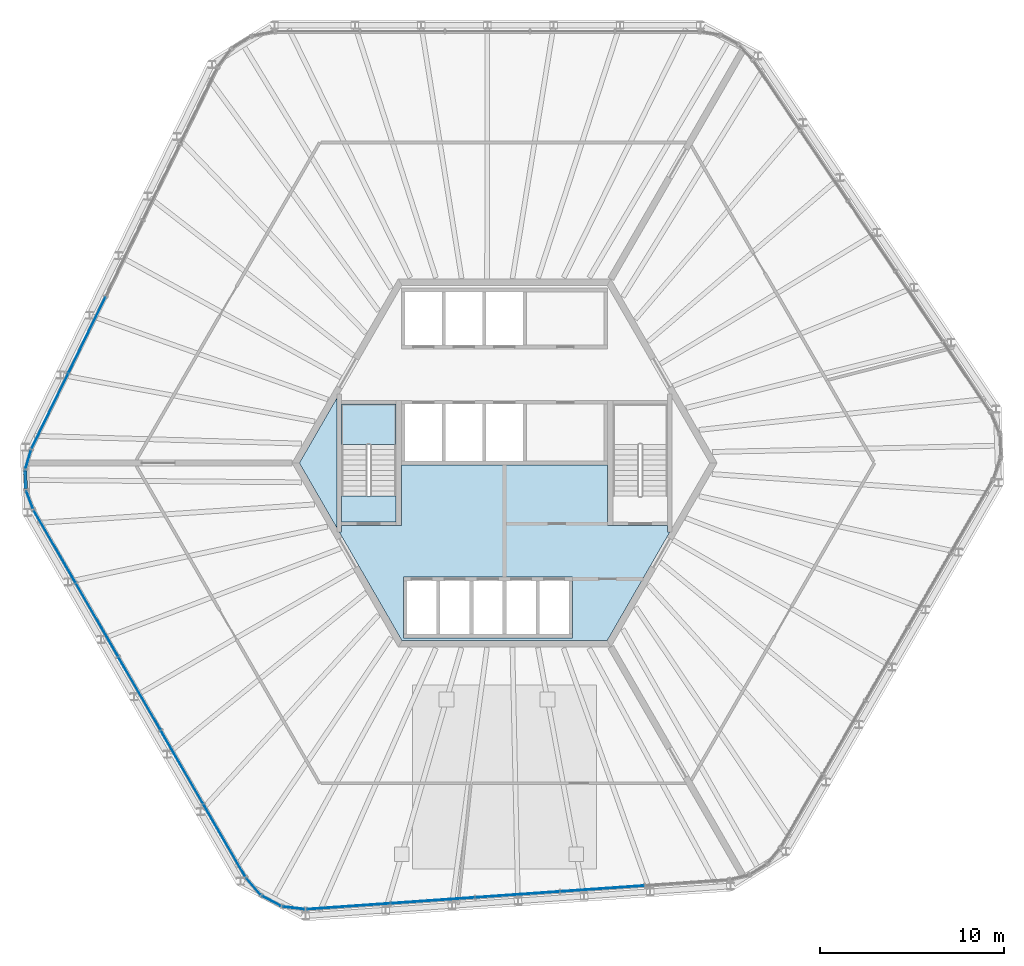
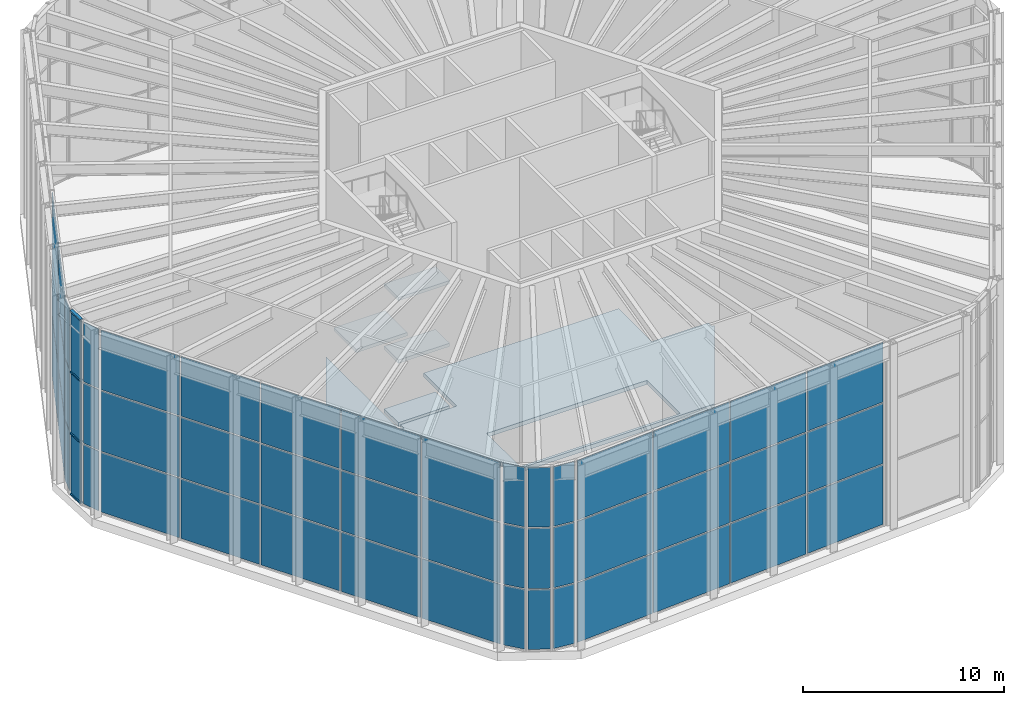
# One storey, part 10 of 17: 51 plates, 6 slabs, 4 members, 10 elements without a shape of their own.
"""IFC4 building model written with IfcOpenShell, lengths in metres."""

from ifc_helpers import new_model, si_unit, direction, frame, origin, origin_2d, place, context, subcontext, project, spatial, polyline, rectangle, outline, extrude, material, layer, layer_set, material_profile, profile_set, type_object, element, aggregate, save


model = new_model("IFC4")

# Units and contexts
model_context = context("Model", 3, precision=1e-05, world=origin(), true_north=direction((0.0, 1.0)))
body_context = subcontext(model_context, "Body", "Model", "MODEL_VIEW")
ifc_project = project(units=[si_unit("LENGTHUNIT", "METRE"), si_unit("AREAUNIT", "SQUARE_METRE"), si_unit("VOLUMEUNIT", "CUBIC_METRE"), si_unit("PLANEANGLEUNIT", "RADIAN"), si_unit("MASSUNIT", "GRAM", prefix="KILO")], contexts=[model_context])

# Site, building, storey
site_placement = place(None, origin())
site = spatial("IfcSite", under=ifc_project, at=site_placement, CompositionType="ELEMENT")
building_placement = place(site_placement, origin())
building = spatial("IfcBuilding", under=site, at=building_placement, Name="Tarnside Tower", CompositionType="ELEMENT")
storey_placement = place(building_placement, frame((0.0, 0.0, 376.800048828125)))
storey = spatial("IfcBuildingStorey", under=building, at=storey_placement, Name="L91", CompositionType="ELEMENT", Elevation=376.800048828125)

# Curtain wall, members
ifc_material_1 = material(Name="Damper hall glazing wall", Category="glass")
curtain_wall_type = type_object("IfcCurtainWallType", Name="Damper hall glazing wall", PredefinedType="NOTDEFINED", material=ifc_material_1)
curtain_wall_1_placement = place(storey_placement, origin())
curtain_wall_1 = element("IfcCurtainWall", 1, at=curtain_wall_1_placement, inside=storey, type_object=curtain_wall_type, Name="Damper hall glazing L91 18", PredefinedType="NOTDEFINED")
ifc_material_2 = material(Name="Aluminium alloy 6063", Category="aluminium")
ifc_material_profile = material_profile(ifc_material_2, rectangle(XDim=0.179931640625, YDim=0.080078125, at=origin_2d()), Name="Damper hall glazing transom 80 x 180")
ifc_profile_set = profile_set([ifc_material_profile], Name="Aluminium alloy 6063")
member_type = type_object("IfcMemberType", Name="Damper hall glazing transom 80 x 180", PredefinedType="USERDEFINED", material=ifc_profile_set)
member_1_placement = place(storey_placement, frame((-25.9990234375, -1.3837890625, 0.0400390625), z_axis=(-0.034913199944, 0.999390348397, 0.0), x_axis=(-0.999390348397, -0.034913199944, 0.0)))
member_1 = element("IfcMember", 2, at=member_1_placement, type_object=member_type, Name="CW5 transom 1.1", ObjectType="TRANSOM", PredefinedType="USERDEFINED", context=body_context, shape_type="SweptSolid", body=[
    extrude(rectangle(XDim=0.179931640625, YDim=0.080078125, at=origin_2d()), origin(), (0.0, 0.0, 1.0), 0.950927734375),
])
member_2_placement = place(storey_placement, frame((-25.9990234375, -1.3837890625, 3.733154296875), z_axis=(-0.034913199944, 0.999390348397, 0.0), x_axis=(-0.999390348397, -0.034913199944, 0.0)))
member_2 = element("IfcMember", 3, at=member_2_placement, type_object=member_type, Name="CW5 transom 1.2", ObjectType="TRANSOM", PredefinedType="USERDEFINED", context=body_context, shape_type="SweptSolid", body=[
    extrude(rectangle(XDim=0.179931640625, YDim=0.080078125, at=origin_2d()), origin(), (0.0, 0.0, 1.0), 0.950927734375),
])
member_3_placement = place(storey_placement, frame((-25.9990234375, -1.3837890625, 7.466552734375), z_axis=(-0.034913199944, 0.999390348397, 0.0), x_axis=(-0.999390348397, -0.034913199944, 0.0)))
member_3 = element("IfcMember", 4, at=member_3_placement, type_object=member_type, Name="CW5 transom 1.3", ObjectType="TRANSOM", PredefinedType="USERDEFINED", context=body_context, shape_type="SweptSolid", body=[
    extrude(rectangle(XDim=0.179931640625, YDim=0.080078125, at=origin_2d()), origin(), (0.0, 0.0, 1.0), 0.950927734375),
])
member_4_placement = place(storey_placement, frame((-25.9990234375, -1.3837890625, 11.159912109375), z_axis=(-0.034913199944, 0.999390348397, 0.0), x_axis=(-0.999390348397, -0.034913199944, 0.0)))
member_4 = element("IfcMember", 5, at=member_4_placement, type_object=member_type, Name="CW5 transom 1.4", ObjectType="TRANSOM", PredefinedType="USERDEFINED", context=body_context, shape_type="SweptSolid", body=[
    extrude(rectangle(XDim=0.179931640625, YDim=0.080078125, at=origin_2d()), origin(), (0.0, 0.0, 1.0), 0.950927734375),
])

# Slabs
ifc_material_3 = material(Name="Concrete C40/50", Category="concrete")
ifc_layer_1 = layer(ifc_material_3, 0.25)
ifc_layer_set_1 = layer_set([ifc_layer_1], Name="Core slab C40/50")
slab_type_1 = type_object("IfcSlabType", Name="Core slab C40/50", PredefinedType="FLOOR", material=ifc_layer_set_1)
slab_1_placement = place(storey_placement, frame((0.0, 0.0, -0.25)))
element("IfcSlab", 6, at=slab_1_placement, inside=storey, type_object=slab_type_1, Name="L91 core floor slab 2", PredefinedType="FLOOR", context=body_context, shape_type="SweptSolid", body=[
    extrude(outline(polyline([(-9.10009765625, -3.538330078125), (-11.142822265625, 0.0), (-9.10009765625, 3.538330078125), (-9.10009765625, -3.538330078125)])), origin(), (0.0, 0.0, 1.0), 0.25),
])
slab_2_placement = place(storey_placement, frame((0.0, 0.0, -0.25)))
element("IfcSlab", 7, at=slab_2_placement, inside=storey, type_object=slab_type_1, Name="L91 core floor slab 3", PredefinedType="FLOOR", context=body_context, shape_type="SweptSolid", body=[
    extrude(outline(polyline([(-8.85009765625, -3.7548828125), (-8.85009765625, -3.39990234375), (-5.89990234375, -3.39990234375), (-5.60009765625, -3.39990234375), (-5.60009765625, -0.10009765625), (5.60009765625, -0.10009765625), (5.60009765625, -3.39990234375), (5.89990234375, -3.39990234375), (8.85009765625, -3.39990234375), (8.85009765625, -3.7548828125), (8.97509765625, -3.7548828125), (5.5712890625, -9.64990234375), (-5.5712890625, -9.64990234375), (-8.97509765625, -3.7548828125), (-8.85009765625, -3.7548828125)]), holes=[polyline([(-5.5, -9.5), (3.699951171875, -9.5), (3.699951171875, -9.300048828125), (3.699951171875, -6.39990234375), (3.699951171875, -6.199951171875), (-5.5, -6.199951171875), (-5.5, -6.39990234375), (-5.5, -9.300048828125), (-5.5, -9.5)])]), origin(), (0.0, 0.0, 1.0), 0.25),
])
slab_3_placement = place(storey_placement, frame((0.0, 0.0, -0.25)))
element("IfcSlab", 8, at=slab_3_placement, inside=storey, type_object=slab_type_1, Name="L91 core floor slab 5", PredefinedType="FLOOR", context=body_context, shape_type="SweptSolid", body=[
    extrude(outline(polyline([(-8.85009765625, -3.199951171875), (-8.85009765625, -1.800048828125), (-5.89990234375, -1.800048828125), (-5.89990234375, -3.199951171875), (-8.85009765625, -3.199951171875)])), origin(), (0.0, 0.0, 1.0), 0.25),
])

# Curtain wall, plates
curtain_wall_2_placement = place(storey_placement, origin())
curtain_wall_2 = element("IfcCurtainWall", 9, at=curtain_wall_2_placement, inside=storey, type_object=curtain_wall_type, Name="Damper hall glazing L91 12", PredefinedType="NOTDEFINED")
ifc_material_4 = material(Name="Low-iron safety glass", Category="glass")
ifc_layer_2 = layer(ifc_material_4, 0.0400390625)
ifc_layer_set_2 = layer_set([ifc_layer_2], Name="Damper hall glazing panel 40")
plate_type = type_object("IfcPlateType", Name="Damper hall glazing panel 40", PredefinedType="CURTAIN_PANEL", material=ifc_layer_set_2)
plate_1_placement = place(storey_placement, frame((5.31005859375, -23.115966796875, 0.080078125), z_axis=(0.0, 0.0, 1.0), x_axis=(-0.99756405026, -0.069756473744, 0.0)))
plate_1 = element("IfcPlate", 10, at=plate_1_placement, type_object=plate_type, Name="CW5 panel 2.1", PredefinedType="CURTAIN_PANEL", context=body_context, shape_type="SweptSolid", body=[
    extrude(rectangle(XDim=4.5341796875, YDim=0.0400390625, at=origin_2d()), origin(), (0.0, 0.0, 1.0), 3.61328125),
])
plate_2_placement = place(storey_placement, frame((5.31005859375, -23.115966796875, 3.773193359375), z_axis=(0.0, 0.0, 1.0), x_axis=(-0.99756405026, -0.069756473744, 0.0)))
plate_2 = element("IfcPlate", 11, at=plate_2_placement, type_object=plate_type, Name="CW5 panel 2.2", PredefinedType="CURTAIN_PANEL", context=body_context, shape_type="SweptSolid", body=[
    extrude(rectangle(XDim=4.5341796875, YDim=0.0400390625, at=origin_2d()), origin(), (0.0, 0.0, 1.0), 3.6533203125),
])
plate_3_placement = place(storey_placement, frame((5.31005859375, -23.115966796875, 7.506591796875), z_axis=(0.0, 0.0, 1.0), x_axis=(-0.99756405026, -0.069756473744, 0.0)))
plate_3 = element("IfcPlate", 12, at=plate_3_placement, type_object=plate_type, Name="CW5 panel 2.3", PredefinedType="CURTAIN_PANEL", context=body_context, shape_type="SweptSolid", body=[
    extrude(rectangle(XDim=4.5341796875, YDim=0.0400390625, at=origin_2d()), origin(), (0.0, 0.0, 1.0), 3.61328125),
])
plate_4_placement = place(storey_placement, frame((0.70703125, -23.437744140625, 0.080078125), z_axis=(0.0, 0.0, 1.0), x_axis=(-0.99756405026, -0.069756473744, 0.0)))
plate_4 = element("IfcPlate", 13, at=plate_4_placement, type_object=plate_type, Name="CW5 panel 3.1", PredefinedType="CURTAIN_PANEL", context=body_context, shape_type="SweptSolid", body=[
    extrude(rectangle(XDim=4.5341796875, YDim=0.0400390625, at=origin_2d()), origin(), (0.0, 0.0, 1.0), 3.61328125),
])
plate_5_placement = place(storey_placement, frame((0.70703125, -23.437744140625, 3.773193359375), z_axis=(0.0, 0.0, 1.0), x_axis=(-0.99756405026, -0.069756473744, 0.0)))
plate_5 = element("IfcPlate", 14, at=plate_5_placement, type_object=plate_type, Name="CW5 panel 3.2", PredefinedType="CURTAIN_PANEL", context=body_context, shape_type="SweptSolid", body=[
    extrude(rectangle(XDim=4.5341796875, YDim=0.0400390625, at=origin_2d()), origin(), (0.0, 0.0, 1.0), 3.6533203125),
])
plate_6_placement = place(storey_placement, frame((0.70703125, -23.437744140625, 7.506591796875), z_axis=(0.0, 0.0, 1.0), x_axis=(-0.99756405026, -0.069756473744, 0.0)))
plate_6 = element("IfcPlate", 15, at=plate_6_placement, type_object=plate_type, Name="CW5 panel 3.3", PredefinedType="CURTAIN_PANEL", context=body_context, shape_type="SweptSolid", body=[
    extrude(rectangle(XDim=4.5341796875, YDim=0.0400390625, at=origin_2d()), origin(), (0.0, 0.0, 1.0), 3.61328125),
])
plate_7_placement = place(storey_placement, frame((-3.89599609375, -23.759521484375, 0.080078125), z_axis=(0.0, 0.0, 1.0), x_axis=(-0.99756405026, -0.069756473744, 0.0)))
plate_7 = element("IfcPlate", 16, at=plate_7_placement, type_object=plate_type, Name="CW5 panel 4.1", PredefinedType="CURTAIN_PANEL", context=body_context, shape_type="SweptSolid", body=[
    extrude(rectangle(XDim=4.5341796875, YDim=0.0400390625, at=origin_2d()), origin(), (0.0, 0.0, 1.0), 3.61328125),
])
plate_8_placement = place(storey_placement, frame((-3.89599609375, -23.759521484375, 3.773193359375), z_axis=(0.0, 0.0, 1.0), x_axis=(-0.99756405026, -0.069756473744, 0.0)))
plate_8 = element("IfcPlate", 17, at=plate_8_placement, type_object=plate_type, Name="CW5 panel 4.2", PredefinedType="CURTAIN_PANEL", context=body_context, shape_type="SweptSolid", body=[
    extrude(rectangle(XDim=4.5341796875, YDim=0.0400390625, at=origin_2d()), origin(), (0.0, 0.0, 1.0), 3.6533203125),
])
plate_9_placement = place(storey_placement, frame((-3.89599609375, -23.759521484375, 7.506591796875), z_axis=(0.0, 0.0, 1.0), x_axis=(-0.99756405026, -0.069756473744, 0.0)))
plate_9 = element("IfcPlate", 18, at=plate_9_placement, type_object=plate_type, Name="CW5 panel 4.3", PredefinedType="CURTAIN_PANEL", context=body_context, shape_type="SweptSolid", body=[
    extrude(rectangle(XDim=4.5341796875, YDim=0.0400390625, at=origin_2d()), origin(), (0.0, 0.0, 1.0), 3.61328125),
])
plate_10_placement = place(storey_placement, frame((-8.47900390625, -24.080078125, 0.080078125), z_axis=(0.0, 0.0, 1.0), x_axis=(-0.99756405026, -0.069756473744, 0.0)))
plate_10 = element("IfcPlate", 19, at=plate_10_placement, type_object=plate_type, Name="CW5 panel 5.1", PredefinedType="CURTAIN_PANEL", context=body_context, shape_type="SweptSolid", body=[
    extrude(rectangle(XDim=4.494140625, YDim=0.0400390625, at=origin_2d()), origin(), (0.0, 0.0, 1.0), 3.61328125),
])
plate_11_placement = place(storey_placement, frame((-8.47900390625, -24.080078125, 3.773193359375), z_axis=(0.0, 0.0, 1.0), x_axis=(-0.99756405026, -0.069756473744, 0.0)))
plate_11 = element("IfcPlate", 20, at=plate_11_placement, type_object=plate_type, Name="CW5 panel 5.2", PredefinedType="CURTAIN_PANEL", context=body_context, shape_type="SweptSolid", body=[
    extrude(rectangle(XDim=4.494140625, YDim=0.0400390625, at=origin_2d()), origin(), (0.0, 0.0, 1.0), 3.6533203125),
])
plate_12_placement = place(storey_placement, frame((-8.47900390625, -24.080078125, 7.506591796875), z_axis=(0.0, 0.0, 1.0), x_axis=(-0.99756405026, -0.069756473744, 0.0)))
plate_12 = element("IfcPlate", 21, at=plate_12_placement, type_object=plate_type, Name="CW5 panel 5.3", PredefinedType="CURTAIN_PANEL", context=body_context, shape_type="SweptSolid", body=[
    extrude(rectangle(XDim=4.494140625, YDim=0.0400390625, at=origin_2d()), origin(), (0.0, 0.0, 1.0), 3.61328125),
])
aggregate(curtain_wall_2, [plate_1, plate_2, plate_3, plate_4, plate_5, plate_6, plate_7, plate_8, plate_9, plate_10, plate_11, plate_12])

curtain_wall_3_placement = place(storey_placement, origin())
curtain_wall_3 = element("IfcCurtainWall", 22, at=curtain_wall_3_placement, inside=storey, type_object=curtain_wall_type, Name="Damper hall glazing L91 13", PredefinedType="NOTDEFINED")
plate_13_placement = place(storey_placement, frame((-11.446044921875, -24.1669921875, 0.080078125), z_axis=(0.0, 0.0, 1.0), x_axis=(-0.993238357764, 0.11609291394, 0.0)))
plate_13 = element("IfcPlate", 23, at=plate_13_placement, type_object=plate_type, Name="CW5 panel 1.1", PredefinedType="CURTAIN_PANEL", context=body_context, shape_type="SweptSolid", body=[
    extrude(rectangle(XDim=1.140380859375, YDim=0.0400390625, at=origin_2d()), origin(), (0.0, 0.0, 1.0), 3.61328125),
])
plate_14_placement = place(storey_placement, frame((-11.446044921875, -24.1669921875, 3.773193359375), z_axis=(0.0, 0.0, 1.0), x_axis=(-0.993238357764, 0.11609291394, 0.0)))
plate_14 = element("IfcPlate", 24, at=plate_14_placement, type_object=plate_type, Name="CW5 panel 1.2", PredefinedType="CURTAIN_PANEL", context=body_context, shape_type="SweptSolid", body=[
    extrude(rectangle(XDim=1.140380859375, YDim=0.0400390625, at=origin_2d()), origin(), (0.0, 0.0, 1.0), 3.6533203125),
])
plate_15_placement = place(storey_placement, frame((-11.446044921875, -24.1669921875, 7.506591796875), z_axis=(0.0, 0.0, 1.0), x_axis=(-0.993238357764, 0.11609291394, 0.0)))
plate_15 = element("IfcPlate", 25, at=plate_15_placement, type_object=plate_type, Name="CW5 panel 1.3", PredefinedType="CURTAIN_PANEL", context=body_context, shape_type="SweptSolid", body=[
    extrude(rectangle(XDim=1.140380859375, YDim=0.0400390625, at=origin_2d()), origin(), (0.0, 0.0, 1.0), 3.61328125),
])
aggregate(curtain_wall_3, [plate_13, plate_14, plate_15])

curtain_wall_4_placement = place(storey_placement, origin())
curtain_wall_4 = element("IfcCurtainWall", 26, at=curtain_wall_4_placement, inside=storey, type_object=curtain_wall_type, Name="Damper hall glazing L91 14", PredefinedType="NOTDEFINED")
plate_16_placement = place(storey_placement, frame((-12.6513671875, -23.7939453125, 0.080078125), z_axis=(0.0, 0.0, 1.0), x_axis=(-0.882947592728, 0.469471563032, 0.0)))
plate_16 = element("IfcPlate", 27, at=plate_16_placement, type_object=plate_type, Name="CW5 panel 1.1", PredefinedType="CURTAIN_PANEL", context=body_context, shape_type="SweptSolid", body=[
    extrude(rectangle(XDim=1.107421875, YDim=0.0400390625, at=origin_2d()), origin(), (0.0, 0.0, 1.0), 3.61328125),
])
plate_17_placement = place(storey_placement, frame((-12.6513671875, -23.7939453125, 3.773193359375), z_axis=(0.0, 0.0, 1.0), x_axis=(-0.882947592728, 0.469471563032, 0.0)))
plate_17 = element("IfcPlate", 28, at=plate_17_placement, type_object=plate_type, Name="CW5 panel 1.2", PredefinedType="CURTAIN_PANEL", context=body_context, shape_type="SweptSolid", body=[
    extrude(rectangle(XDim=1.107421875, YDim=0.0400390625, at=origin_2d()), origin(), (0.0, 0.0, 1.0), 3.6533203125),
])
plate_18_placement = place(storey_placement, frame((-12.6513671875, -23.7939453125, 7.506591796875), z_axis=(0.0, 0.0, 1.0), x_axis=(-0.882947592728, 0.469471563032, 0.0)))
plate_18 = element("IfcPlate", 29, at=plate_18_placement, type_object=plate_type, Name="CW5 panel 1.3", PredefinedType="CURTAIN_PANEL", context=body_context, shape_type="SweptSolid", body=[
    extrude(rectangle(XDim=1.107421875, YDim=0.0400390625, at=origin_2d()), origin(), (0.0, 0.0, 1.0), 3.61328125),
])
aggregate(curtain_wall_4, [plate_16, plate_17, plate_18])

curtain_wall_5_placement = place(storey_placement, origin())
curtain_wall_5 = element("IfcCurtainWall", 30, at=curtain_wall_5_placement, inside=storey, type_object=curtain_wall_type, Name="Damper hall glazing L91 15", PredefinedType="NOTDEFINED")
plate_19_placement = place(storey_placement, frame((-13.634765625, -23.00341796875, 0.080078125), z_axis=(0.0, 0.0, 1.0), x_axis=(-0.651657228852, 0.758513583322, 0.0)))
plate_19 = element("IfcPlate", 31, at=plate_19_placement, type_object=plate_type, Name="CW5 panel 1.1", PredefinedType="CURTAIN_PANEL", context=body_context, shape_type="SweptSolid", body=[
    extrude(rectangle(XDim=1.140380859375, YDim=0.0400390625, at=origin_2d()), origin(), (0.0, 0.0, 1.0), 3.61328125),
])
plate_20_placement = place(storey_placement, frame((-13.634765625, -23.00341796875, 3.773193359375), z_axis=(0.0, 0.0, 1.0), x_axis=(-0.651657228852, 0.758513583322, 0.0)))
plate_20 = element("IfcPlate", 32, at=plate_20_placement, type_object=plate_type, Name="CW5 panel 1.2", PredefinedType="CURTAIN_PANEL", context=body_context, shape_type="SweptSolid", body=[
    extrude(rectangle(XDim=1.140380859375, YDim=0.0400390625, at=origin_2d()), origin(), (0.0, 0.0, 1.0), 3.6533203125),
])
plate_21_placement = place(storey_placement, frame((-13.634765625, -23.00341796875, 7.506591796875), z_axis=(0.0, 0.0, 1.0), x_axis=(-0.651657228852, 0.758513583322, 0.0)))
plate_21 = element("IfcPlate", 33, at=plate_21_placement, type_object=plate_type, Name="CW5 panel 1.3", PredefinedType="CURTAIN_PANEL", context=body_context, shape_type="SweptSolid", body=[
    extrude(rectangle(XDim=1.140380859375, YDim=0.0400390625, at=origin_2d()), origin(), (0.0, 0.0, 1.0), 3.61328125),
])
aggregate(curtain_wall_5, [plate_19, plate_20, plate_21])

curtain_wall_6_placement = place(storey_placement, origin())
curtain_wall_6 = element("IfcCurtainWall", 34, at=curtain_wall_6_placement, inside=storey, type_object=curtain_wall_type, Name="Damper hall glazing L91 16", PredefinedType="NOTDEFINED")
plate_22_placement = place(storey_placement, frame((-15.221923828125, -20.494873046875, 0.080078125), z_axis=(0.0, 0.0, 1.0), x_axis=(-0.50000000003, 0.866025403767, 0.0)))
plate_22 = element("IfcPlate", 35, at=plate_22_placement, type_object=plate_type, Name="CW5 panel 1.1", PredefinedType="CURTAIN_PANEL", context=body_context, shape_type="SweptSolid", body=[
    extrude(rectangle(XDim=4.494140625, YDim=0.0400390625, at=origin_2d()), origin(), (0.0, 0.0, 1.0), 3.61328125),
])
plate_23_placement = place(storey_placement, frame((-15.221923828125, -20.494873046875, 3.773193359375), z_axis=(0.0, 0.0, 1.0), x_axis=(-0.50000000003, 0.866025403767, 0.0)))
plate_23 = element("IfcPlate", 36, at=plate_23_placement, type_object=plate_type, Name="CW5 panel 1.2", PredefinedType="CURTAIN_PANEL", context=body_context, shape_type="SweptSolid", body=[
    extrude(rectangle(XDim=4.494140625, YDim=0.0400390625, at=origin_2d()), origin(), (0.0, 0.0, 1.0), 3.6533203125),
])
plate_24_placement = place(storey_placement, frame((-15.221923828125, -20.494873046875, 7.506591796875), z_axis=(0.0, 0.0, 1.0), x_axis=(-0.50000000003, 0.866025403767, 0.0)))
plate_24 = element("IfcPlate", 37, at=plate_24_placement, type_object=plate_type, Name="CW5 panel 1.3", PredefinedType="CURTAIN_PANEL", context=body_context, shape_type="SweptSolid", body=[
    extrude(rectangle(XDim=4.494140625, YDim=0.0400390625, at=origin_2d()), origin(), (0.0, 0.0, 1.0), 3.61328125),
])
plate_25_placement = place(storey_placement, frame((-17.51904296875, -16.51611328125, 0.080078125), z_axis=(0.0, 0.0, 1.0), x_axis=(-0.50000000003, 0.866025403767, 0.0)))
plate_25 = element("IfcPlate", 38, at=plate_25_placement, type_object=plate_type, Name="CW5 panel 2.1", PredefinedType="CURTAIN_PANEL", context=body_context, shape_type="SweptSolid", body=[
    extrude(rectangle(XDim=4.5341796875, YDim=0.0400390625, at=origin_2d()), origin(), (0.0, 0.0, 1.0), 3.61328125),
])
plate_26_placement = place(storey_placement, frame((-17.51904296875, -16.51611328125, 3.773193359375), z_axis=(0.0, 0.0, 1.0), x_axis=(-0.50000000003, 0.866025403767, 0.0)))
plate_26 = element("IfcPlate", 39, at=plate_26_placement, type_object=plate_type, Name="CW5 panel 2.2", PredefinedType="CURTAIN_PANEL", context=body_context, shape_type="SweptSolid", body=[
    extrude(rectangle(XDim=4.5341796875, YDim=0.0400390625, at=origin_2d()), origin(), (0.0, 0.0, 1.0), 3.6533203125),
])
plate_27_placement = place(storey_placement, frame((-17.51904296875, -16.51611328125, 7.506591796875), z_axis=(0.0, 0.0, 1.0), x_axis=(-0.50000000003, 0.866025403767, 0.0)))
plate_27 = element("IfcPlate", 40, at=plate_27_placement, type_object=plate_type, Name="CW5 panel 2.3", PredefinedType="CURTAIN_PANEL", context=body_context, shape_type="SweptSolid", body=[
    extrude(rectangle(XDim=4.5341796875, YDim=0.0400390625, at=origin_2d()), origin(), (0.0, 0.0, 1.0), 3.61328125),
])
plate_28_placement = place(storey_placement, frame((-19.826171875, -12.52001953125, 0.080078125), z_axis=(0.0, 0.0, 1.0), x_axis=(-0.50000000003, 0.866025403767, 0.0)))
plate_28 = element("IfcPlate", 41, at=plate_28_placement, type_object=plate_type, Name="CW5 panel 3.1", PredefinedType="CURTAIN_PANEL", context=body_context, shape_type="SweptSolid", body=[
    extrude(rectangle(XDim=4.5341796875, YDim=0.0400390625, at=origin_2d()), origin(), (0.0, 0.0, 1.0), 3.61328125),
])
plate_29_placement = place(storey_placement, frame((-19.826171875, -12.52001953125, 3.773193359375), z_axis=(0.0, 0.0, 1.0), x_axis=(-0.50000000003, 0.866025403767, 0.0)))
plate_29 = element("IfcPlate", 42, at=plate_29_placement, type_object=plate_type, Name="CW5 panel 3.2", PredefinedType="CURTAIN_PANEL", context=body_context, shape_type="SweptSolid", body=[
    extrude(rectangle(XDim=4.5341796875, YDim=0.0400390625, at=origin_2d()), origin(), (0.0, 0.0, 1.0), 3.6533203125),
])
plate_30_placement = place(storey_placement, frame((-19.826171875, -12.52001953125, 7.506591796875), z_axis=(0.0, 0.0, 1.0), x_axis=(-0.50000000003, 0.866025403767, 0.0)))
plate_30 = element("IfcPlate", 43, at=plate_30_placement, type_object=plate_type, Name="CW5 panel 3.3", PredefinedType="CURTAIN_PANEL", context=body_context, shape_type="SweptSolid", body=[
    extrude(rectangle(XDim=4.5341796875, YDim=0.0400390625, at=origin_2d()), origin(), (0.0, 0.0, 1.0), 3.61328125),
])
plate_31_placement = place(storey_placement, frame((-22.13330078125, -8.52392578125, 0.080078125), z_axis=(0.0, 0.0, 1.0), x_axis=(-0.50000000003, 0.866025403767, 0.0)))
plate_31 = element("IfcPlate", 44, at=plate_31_placement, type_object=plate_type, Name="CW5 panel 4.1", PredefinedType="CURTAIN_PANEL", context=body_context, shape_type="SweptSolid", body=[
    extrude(rectangle(XDim=4.5341796875, YDim=0.0400390625, at=origin_2d()), origin(), (0.0, 0.0, 1.0), 3.61328125),
])
plate_32_placement = place(storey_placement, frame((-22.13330078125, -8.52392578125, 3.773193359375), z_axis=(0.0, 0.0, 1.0), x_axis=(-0.50000000003, 0.866025403767, 0.0)))
plate_32 = element("IfcPlate", 45, at=plate_32_placement, type_object=plate_type, Name="CW5 panel 4.2", PredefinedType="CURTAIN_PANEL", context=body_context, shape_type="SweptSolid", body=[
    extrude(rectangle(XDim=4.5341796875, YDim=0.0400390625, at=origin_2d()), origin(), (0.0, 0.0, 1.0), 3.6533203125),
])
plate_33_placement = place(storey_placement, frame((-22.13330078125, -8.52392578125, 7.506591796875), z_axis=(0.0, 0.0, 1.0), x_axis=(-0.50000000003, 0.866025403767, 0.0)))
plate_33 = element("IfcPlate", 46, at=plate_33_placement, type_object=plate_type, Name="CW5 panel 4.3", PredefinedType="CURTAIN_PANEL", context=body_context, shape_type="SweptSolid", body=[
    extrude(rectangle(XDim=4.5341796875, YDim=0.0400390625, at=origin_2d()), origin(), (0.0, 0.0, 1.0), 3.61328125),
])
plate_34_placement = place(storey_placement, frame((-24.430419921875, -4.545166015625, 0.080078125), z_axis=(0.0, 0.0, 1.0), x_axis=(-0.50000000003, 0.866025403767, 0.0)))
plate_34 = element("IfcPlate", 47, at=plate_34_placement, type_object=plate_type, Name="CW5 panel 5.1", PredefinedType="CURTAIN_PANEL", context=body_context, shape_type="SweptSolid", body=[
    extrude(rectangle(XDim=4.494140625, YDim=0.0400390625, at=origin_2d()), origin(), (0.0, 0.0, 1.0), 3.61328125),
])
plate_35_placement = place(storey_placement, frame((-24.430419921875, -4.545166015625, 3.773193359375), z_axis=(0.0, 0.0, 1.0), x_axis=(-0.50000000003, 0.866025403767, 0.0)))
plate_35 = element("IfcPlate", 48, at=plate_35_placement, type_object=plate_type, Name="CW5 panel 5.2", PredefinedType="CURTAIN_PANEL", context=body_context, shape_type="SweptSolid", body=[
    extrude(rectangle(XDim=4.494140625, YDim=0.0400390625, at=origin_2d()), origin(), (0.0, 0.0, 1.0), 3.6533203125),
])
plate_36_placement = place(storey_placement, frame((-24.430419921875, -4.545166015625, 7.506591796875), z_axis=(0.0, 0.0, 1.0), x_axis=(-0.50000000003, 0.866025403767, 0.0)))
plate_36 = element("IfcPlate", 49, at=plate_36_placement, type_object=plate_type, Name="CW5 panel 5.3", PredefinedType="CURTAIN_PANEL", context=body_context, shape_type="SweptSolid", body=[
    extrude(rectangle(XDim=4.494140625, YDim=0.0400390625, at=origin_2d()), origin(), (0.0, 0.0, 1.0), 3.61328125),
])
aggregate(curtain_wall_6, [plate_22, plate_23, plate_24, plate_25, plate_26, plate_27, plate_28, plate_29, plate_30, plate_31, plate_32, plate_33, plate_34, plate_35, plate_36])

curtain_wall_7_placement = place(storey_placement, origin())
curtain_wall_7 = element("IfcCurtainWall", 50, at=curtain_wall_7_placement, inside=storey, type_object=curtain_wall_type, Name="Damper hall glazing L91 17", PredefinedType="NOTDEFINED")
plate_37_placement = place(storey_placement, frame((-25.795166015625, -1.996826171875, 0.080078125), z_axis=(0.0, 0.0, 1.0), x_axis=(-0.352930564393, 0.935649515961, 0.0)))
plate_37 = element("IfcPlate", 51, at=plate_37_placement, type_object=plate_type, Name="CW5 panel 1.1", PredefinedType="CURTAIN_PANEL", context=body_context, shape_type="SweptSolid", body=[
    extrude(rectangle(XDim=0.9794921875, YDim=0.0400390625, at=origin_2d()), origin(), (0.0, 0.0, 1.0), 3.61328125),
])
plate_38_placement = place(storey_placement, frame((-25.795166015625, -1.996826171875, 3.773193359375), z_axis=(0.0, 0.0, 1.0), x_axis=(-0.352930564393, 0.935649515961, 0.0)))
plate_38 = element("IfcPlate", 52, at=plate_38_placement, type_object=plate_type, Name="CW5 panel 1.2", PredefinedType="CURTAIN_PANEL", context=body_context, shape_type="SweptSolid", body=[
    extrude(rectangle(XDim=0.9794921875, YDim=0.0400390625, at=origin_2d()), origin(), (0.0, 0.0, 1.0), 3.6533203125),
])
plate_39_placement = place(storey_placement, frame((-25.795166015625, -1.996826171875, 7.506591796875), z_axis=(0.0, 0.0, 1.0), x_axis=(-0.352930564393, 0.935649515961, 0.0)))
plate_39 = element("IfcPlate", 53, at=plate_39_placement, type_object=plate_type, Name="CW5 panel 1.3", PredefinedType="CURTAIN_PANEL", context=body_context, shape_type="SweptSolid", body=[
    extrude(rectangle(XDim=0.9794921875, YDim=0.0400390625, at=origin_2d()), origin(), (0.0, 0.0, 1.0), 3.61328125),
])
aggregate(curtain_wall_7, [plate_37, plate_38, plate_39])

# Plate
plate_40_placement = place(storey_placement, frame((-26.015625, -0.908447265625, 0.080078125), z_axis=(0.0, 0.0, 1.0), x_axis=(-0.034899496842, 0.999390827014, 0.0)))
plate_40 = element("IfcPlate", 54, at=plate_40_placement, type_object=plate_type, Name="CW5 panel 1.1", PredefinedType="CURTAIN_PANEL", context=body_context, shape_type="SweptSolid", body=[
    extrude(rectangle(XDim=0.950927734375, YDim=0.0400390625, at=origin_2d()), origin(), (0.0, 0.0, 1.0), 3.61328125),
])

plate_41_placement = place(storey_placement, frame((-26.015625, -0.908447265625, 3.773193359375), z_axis=(0.0, 0.0, 1.0), x_axis=(-0.034899496842, 0.999390827014, 0.0)))
plate_41 = element("IfcPlate", 55, at=plate_41_placement, type_object=plate_type, Name="CW5 panel 1.2", PredefinedType="CURTAIN_PANEL", context=body_context, shape_type="SweptSolid", body=[
    extrude(rectangle(XDim=0.950927734375, YDim=0.0400390625, at=origin_2d()), origin(), (0.0, 0.0, 1.0), 3.6533203125),
])

plate_42_placement = place(storey_placement, frame((-26.015625, -0.908447265625, 7.506591796875), z_axis=(0.0, 0.0, 1.0), x_axis=(-0.034899496842, 0.999390827014, 0.0)))
plate_42 = element("IfcPlate", 56, at=plate_42_placement, type_object=plate_type, Name="CW5 panel 1.3", PredefinedType="CURTAIN_PANEL", context=body_context, shape_type="SweptSolid", body=[
    extrude(rectangle(XDim=0.950927734375, YDim=0.0400390625, at=origin_2d()), origin(), (0.0, 0.0, 1.0), 3.61328125),
])

aggregate(curtain_wall_1, [member_1, member_2, member_3, member_4, plate_40, plate_41, plate_42])

# Curtain wall, plates
curtain_wall_8_placement = place(storey_placement, origin())
curtain_wall_8 = element("IfcCurtainWall", 57, at=curtain_wall_8_placement, inside=storey, type_object=curtain_wall_type, Name="Damper hall glazing L91 19", PredefinedType="NOTDEFINED")
plate_43_placement = place(storey_placement, frame((-25.87158203125, 0.192626953125, 0.080078125), z_axis=(0.0, 0.0, 1.0), x_axis=(0.286803232717, 0.957989512314, 0.0)))
plate_43 = element("IfcPlate", 58, at=plate_43_placement, type_object=plate_type, Name="CW5 panel 1.1", PredefinedType="CURTAIN_PANEL", context=body_context, shape_type="SweptSolid", body=[
    extrude(rectangle(XDim=0.9794921875, YDim=0.0400390625, at=origin_2d()), origin(), (0.0, 0.0, 1.0), 3.61328125),
])
plate_44_placement = place(storey_placement, frame((-25.87158203125, 0.192626953125, 3.773193359375), z_axis=(0.0, 0.0, 1.0), x_axis=(0.286803232717, 0.957989512314, 0.0)))
plate_44 = element("IfcPlate", 59, at=plate_44_placement, type_object=plate_type, Name="CW5 panel 1.2", PredefinedType="CURTAIN_PANEL", context=body_context, shape_type="SweptSolid", body=[
    extrude(rectangle(XDim=0.9794921875, YDim=0.0400390625, at=origin_2d()), origin(), (0.0, 0.0, 1.0), 3.6533203125),
])
plate_45_placement = place(storey_placement, frame((-25.87158203125, 0.192626953125, 7.506591796875), z_axis=(0.0, 0.0, 1.0), x_axis=(0.286803232717, 0.957989512314, 0.0)))
plate_45 = element("IfcPlate", 60, at=plate_45_placement, type_object=plate_type, Name="CW5 panel 1.3", PredefinedType="CURTAIN_PANEL", context=body_context, shape_type="SweptSolid", body=[
    extrude(rectangle(XDim=0.9794921875, YDim=0.0400390625, at=origin_2d()), origin(), (0.0, 0.0, 1.0), 3.61328125),
])
aggregate(curtain_wall_8, [plate_43, plate_44, plate_45])

curtain_wall_9_placement = place(storey_placement, origin())
curtain_wall_9 = element("IfcCurtainWall", 61, at=curtain_wall_9_placement, inside=storey, type_object=curtain_wall_type, Name="Damper hall glazing L91 20", PredefinedType="NOTDEFINED")
plate_46_placement = place(storey_placement, frame((-24.68798828125, 2.830078125, 0.080078125), z_axis=(0.0, 0.0, 1.0), x_axis=(0.438371146789, 0.898794046299, 0.0)))
plate_46 = element("IfcPlate", 62, at=plate_46_placement, type_object=plate_type, Name="CW5 panel 1.1", PredefinedType="CURTAIN_PANEL", context=body_context, shape_type="SweptSolid", body=[
    extrude(rectangle(XDim=4.494140625, YDim=0.0400390625, at=origin_2d()), origin(), (0.0, 0.0, 1.0), 3.61328125),
])
plate_47_placement = place(storey_placement, frame((-24.68798828125, 2.830078125, 3.773193359375), z_axis=(0.0, 0.0, 1.0), x_axis=(0.438371146789, 0.898794046299, 0.0)))
plate_47 = element("IfcPlate", 63, at=plate_47_placement, type_object=plate_type, Name="CW5 panel 1.2", PredefinedType="CURTAIN_PANEL", context=body_context, shape_type="SweptSolid", body=[
    extrude(rectangle(XDim=4.494140625, YDim=0.0400390625, at=origin_2d()), origin(), (0.0, 0.0, 1.0), 3.6533203125),
])
plate_48_placement = place(storey_placement, frame((-24.68798828125, 2.830078125, 7.506591796875), z_axis=(0.0, 0.0, 1.0), x_axis=(0.438371146789, 0.898794046299, 0.0)))
plate_48 = element("IfcPlate", 64, at=plate_48_placement, type_object=plate_type, Name="CW5 panel 1.3", PredefinedType="CURTAIN_PANEL", context=body_context, shape_type="SweptSolid", body=[
    extrude(rectangle(XDim=4.494140625, YDim=0.0400390625, at=origin_2d()), origin(), (0.0, 0.0, 1.0), 3.61328125),
])
plate_49_placement = place(storey_placement, frame((-22.674072265625, 6.959228515625, 0.080078125), z_axis=(0.0, 0.0, 1.0), x_axis=(0.438371146789, 0.898794046299, 0.0)))
plate_49 = element("IfcPlate", 65, at=plate_49_placement, type_object=plate_type, Name="CW5 panel 2.1", PredefinedType="CURTAIN_PANEL", context=body_context, shape_type="SweptSolid", body=[
    extrude(rectangle(XDim=4.5341796875, YDim=0.0400390625, at=origin_2d()), origin(), (0.0, 0.0, 1.0), 3.61328125),
])
plate_50_placement = place(storey_placement, frame((-22.674072265625, 6.959228515625, 3.773193359375), z_axis=(0.0, 0.0, 1.0), x_axis=(0.438371146789, 0.898794046299, 0.0)))
plate_50 = element("IfcPlate", 66, at=plate_50_placement, type_object=plate_type, Name="CW5 panel 2.2", PredefinedType="CURTAIN_PANEL", context=body_context, shape_type="SweptSolid", body=[
    extrude(rectangle(XDim=4.5341796875, YDim=0.0400390625, at=origin_2d()), origin(), (0.0, 0.0, 1.0), 3.6533203125),
])
plate_51_placement = place(storey_placement, frame((-22.674072265625, 6.959228515625, 7.506591796875), z_axis=(0.0, 0.0, 1.0), x_axis=(0.438371146789, 0.898794046299, 0.0)))
plate_51 = element("IfcPlate", 67, at=plate_51_placement, type_object=plate_type, Name="CW5 panel 2.3", PredefinedType="CURTAIN_PANEL", context=body_context, shape_type="SweptSolid", body=[
    extrude(rectangle(XDim=4.5341796875, YDim=0.0400390625, at=origin_2d()), origin(), (0.0, 0.0, 1.0), 3.61328125),
])
aggregate(curtain_wall_9, [plate_46, plate_47, plate_48, plate_49, plate_50, plate_51])

# Stair, slabs
stair_type = type_object("IfcStairType", Name="Exit stair 1400 clear", PredefinedType="HALF_TURN_STAIR", material=ifc_material_3)
stair_placement = place(storey_placement, origin())
stair = element("IfcStair", 68, at=stair_placement, inside=storey, type_object=stair_type, Name="L91 Exit stair 2", PredefinedType="HALF_TURN_STAIR")
ifc_layer_3 = layer(ifc_material_3, 0.199951171875)
ifc_layer_set_3 = layer_set([ifc_layer_3], Name="Stair landing 200 C40/50")
slab_type_2 = type_object("IfcSlabType", Name="Stair landing 200 C40/50", PredefinedType="LANDING", material=ifc_layer_set_3)
slab_4_placement = place(storey_placement, frame((0.0, 0.0, 1.699951171875)))
slab_4 = element("IfcSlab", 69, at=slab_4_placement, type_object=slab_type_2, Name="ST2 landing 1", PredefinedType="LANDING", context=body_context, shape_type="SweptSolid", body=[
    extrude(outline(polyline([(-5.89990234375, 1.0), (-5.89990234375, 3.199951171875), (-8.85009765625, 3.199951171875), (-8.85009765625, 1.0), (-5.89990234375, 1.0)])), origin(), (0.0, 0.0, 1.0), 0.199951171875),
])
slab_5_placement = place(storey_placement, frame((0.0, 0.0, 3.599853515625)))
slab_5 = element("IfcSlab", 70, at=slab_5_placement, type_object=slab_type_2, Name="ST2 landing 2", PredefinedType="LANDING", context=body_context, shape_type="SweptSolid", body=[
    extrude(outline(polyline([(-5.89990234375, -3.199951171875), (-5.89990234375, -1.800048828125), (-8.85009765625, -1.800048828125), (-8.85009765625, -3.199951171875), (-5.89990234375, -3.199951171875)])), origin(), (0.0, 0.0, 1.0), 0.2001953125),
])
slab_6_placement = place(storey_placement, frame((0.0, 0.0, 7.39990234375)))
slab_6 = element("IfcSlab", 71, at=slab_6_placement, type_object=slab_type_2, Name="ST2 landing 4", PredefinedType="LANDING", context=body_context, shape_type="SweptSolid", body=[
    extrude(outline(polyline([(-5.89990234375, -3.199951171875), (-5.89990234375, -1.800048828125), (-8.85009765625, -1.800048828125), (-8.85009765625, -3.199951171875), (-5.89990234375, -3.199951171875)])), origin(), (0.0, 0.0, 1.0), 0.199951171875),
])
aggregate(stair, [slab_4, slab_5, slab_6])

save(model, "model.ifc")
